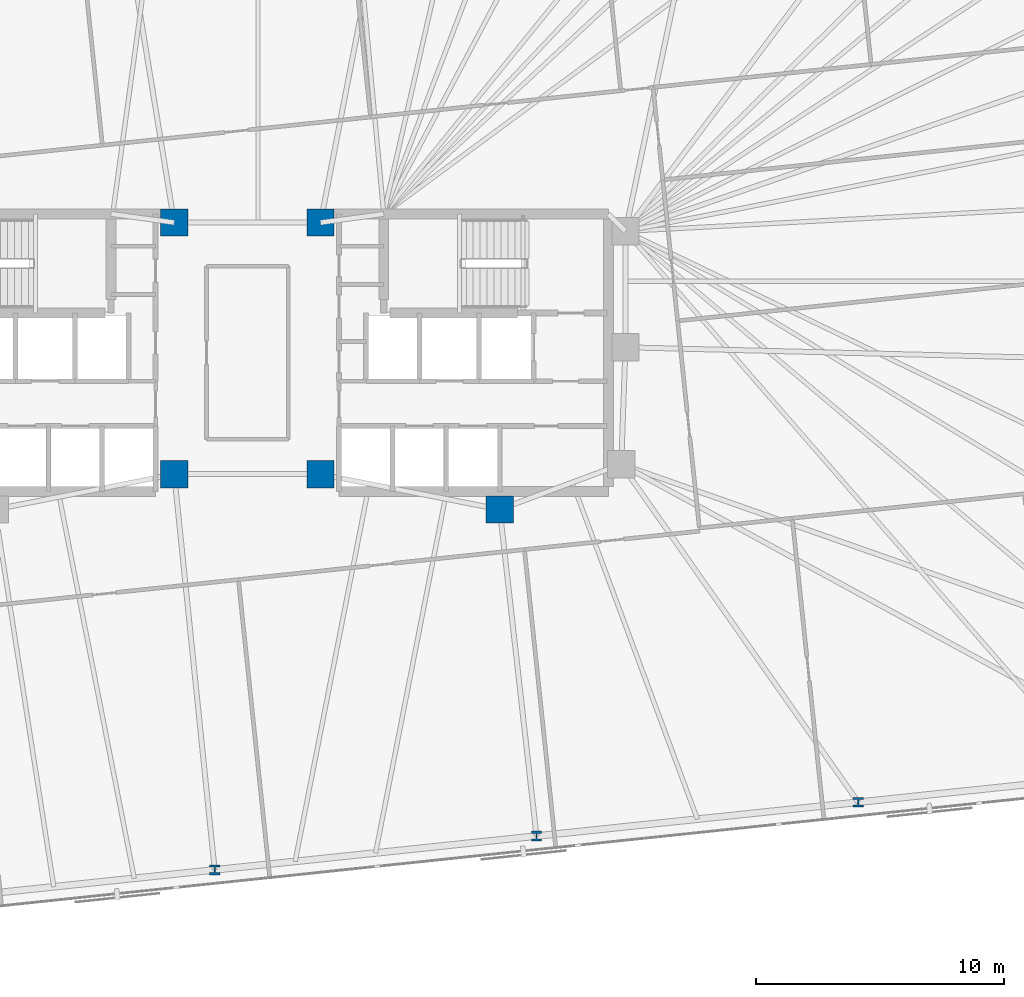
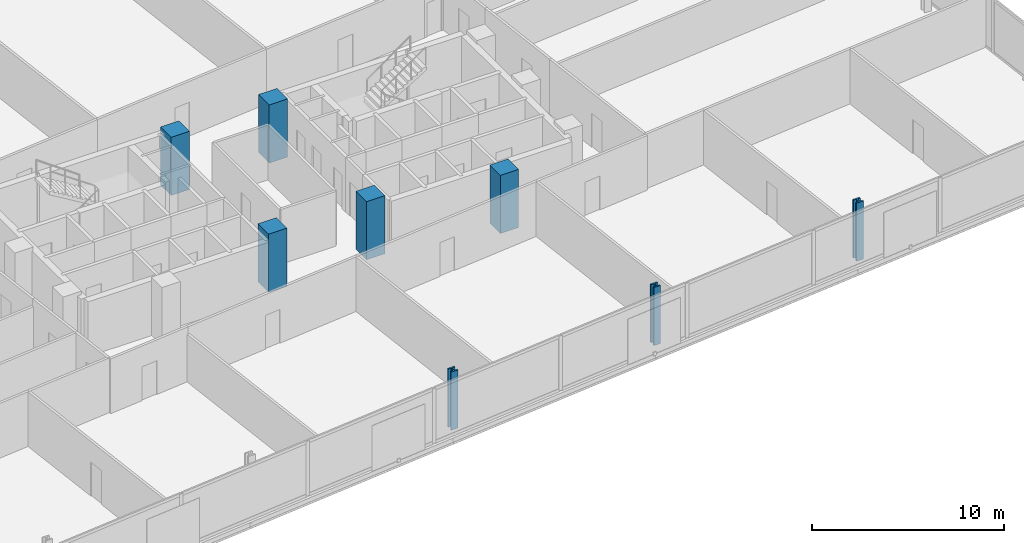
# One storey, part 3 of 18: 8 columns.
"""IFC4 building model written with IfcOpenShell, lengths in metres."""

from ifc_helpers import new_model, si_unit, direction, frame, origin, origin_2d, place, context, subcontext, project, spatial, rectangle, i_section, extrude, material, material_profile, profile_set, type_object, element, save


model = new_model("IFC4")

# Units and contexts
model_context = context("Model", 3, precision=1e-05, world=origin(), true_north=direction((0.0, 1.0)))
body_context = subcontext(model_context, "Body", "Model", "MODEL_VIEW")
ifc_project = project(units=[si_unit("LENGTHUNIT", "METRE"), si_unit("AREAUNIT", "SQUARE_METRE"), si_unit("VOLUMEUNIT", "CUBIC_METRE"), si_unit("PLANEANGLEUNIT", "RADIAN"), si_unit("MASSUNIT", "GRAM", prefix="KILO")], contexts=[model_context])

# Site, building, storey
site_placement = place(None, origin())
site = spatial("IfcSite", under=ifc_project, at=site_placement, CompositionType="ELEMENT")
building_placement = place(site_placement, origin())
building = spatial("IfcBuilding", under=site, at=building_placement, Name="Menara Jurai Vektor", CompositionType="ELEMENT")
storey_placement = place(building_placement, frame((0.0, 0.0, 98.5)))
storey = spatial("IfcBuildingStorey", under=building, at=storey_placement, Name="L24", CompositionType="ELEMENT", Elevation=98.5)

# Columns
ifc_material_1 = material(Name="Concrete C50/60", Category="concrete")
ifc_material_profile_1 = material_profile(ifc_material_1, rectangle(XDim=1.10009765625, YDim=1.10009765625, at=origin_2d()), Name="RC 1100x1100")
ifc_profile_set_1 = profile_set([ifc_material_profile_1], Name="Concrete C50/60")
column_type_1 = type_object("IfcColumnType", Name="STR-COL-RC1100", PredefinedType="COLUMN", material=ifc_profile_set_1)
for number, where, z_axis, x_axis, name in (
    (1, (-2.949951171875, -4.89990234375, 0.0), (0.0, 0.0, 1.0), (1.0, 0.0, 0.0), "Core Spine Column CW-SE L24"),
    (2, (-2.949951171875, 5.25, 0.0), (0.0, 0.0, 1.0), (1.0, 0.0, 0.0), "Core Spine Column CW-NE L24"),
    (3, (10.179931640625, -6.320068359375, 0.0), (0.0, 0.0, 1.0), (1.0, 0.0, 0.0), "Core Spine Column CE-SM L24"),
    (4, (2.949951171875, -4.89990234375, 0.0), (0.0, 0.0, 1.0), (1.0, 0.0, 0.0), "Core Spine Column CE-SW L24"),
    (5, (2.949951171875, 5.25, 0.0), (0.0, 0.0, 1.0), (1.0, 0.0, 0.0), "Core Spine Column CE-NW L24"),
):
    element("IfcColumn", number, at=place(storey_placement, frame(where, z_axis=z_axis, x_axis=x_axis)), inside=storey, type_object=column_type_1, Name=name, PredefinedType="COLUMN", context=body_context, shape_type="SweptSolid", body=[
        extrude(rectangle(XDim=1.10009765625, YDim=1.10009765625, at=origin_2d()), origin(), (0.0, 0.0, 1.0), 3.699951171875),
    ])
ifc_material_2 = material(Name="Steel S460", Category="steel")
ifc_material_profile_2 = material_profile(ifc_material_2, i_section(OverallWidth=0.4130859375, OverallDepth=0.39794921875, WebThickness=0.055908203125, FlangeThickness=0.089111328125, FilletRadius=0.014892578125, at=origin_2d()), Name="HD 400x744")
ifc_profile_set_2 = profile_set([ifc_material_profile_2], Name="Steel S460")
column_type_2 = type_object("IfcColumnType", Name="STR-EXO-BLK2", PredefinedType="COLUMN", material=ifc_profile_set_2)
for number, where, z_axis, x_axis, name in (
    (6, (-1.317138671875, -20.857666015625, 0.0), (0.0, 0.0, 1.0), (1.0, 0.0, 0.0), "Exoskeleton Column BLK2-S3 L24"),
    (7, (11.66259765625, -19.49365234375, 0.0), (0.0, 0.0, 1.0), (1.0, 0.0, 0.0), "Exoskeleton Column BLK2-S4 L24"),
    (8, (24.642333984375, -18.12939453125, 0.0), (0.0, 0.0, 1.0), (1.0, 0.0, 0.0), "Exoskeleton Column BLK2-S5 L24"),
):
    element("IfcColumn", number, at=place(storey_placement, frame(where, z_axis=z_axis, x_axis=x_axis)), inside=storey, type_object=column_type_2, Name=name, PredefinedType="COLUMN", context=body_context, shape_type="SweptSolid", body=[
        extrude(i_section(OverallWidth=0.4130859375, OverallDepth=0.39794921875, WebThickness=0.055908203125, FlangeThickness=0.089111328125, FilletRadius=0.014892578125, at=origin_2d()), origin(), (0.0, 0.0, 1.0), 3.699951171875),
    ])

save(model, "model.ifc")
